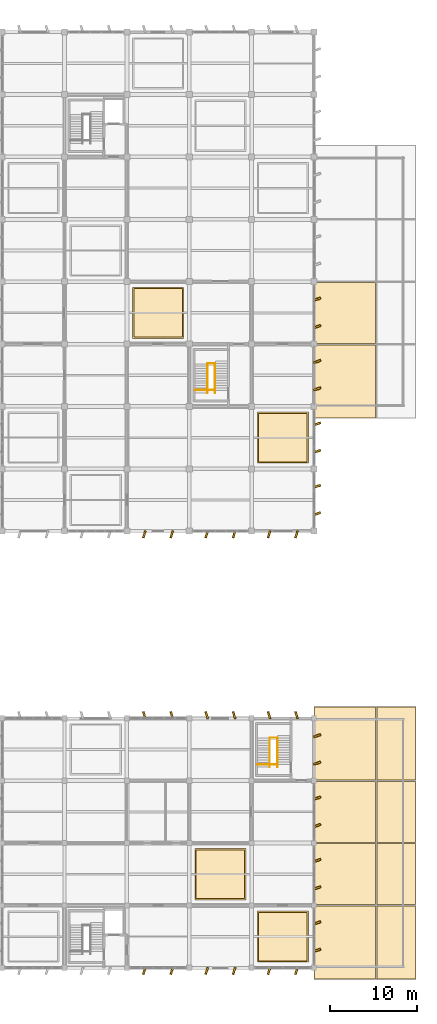
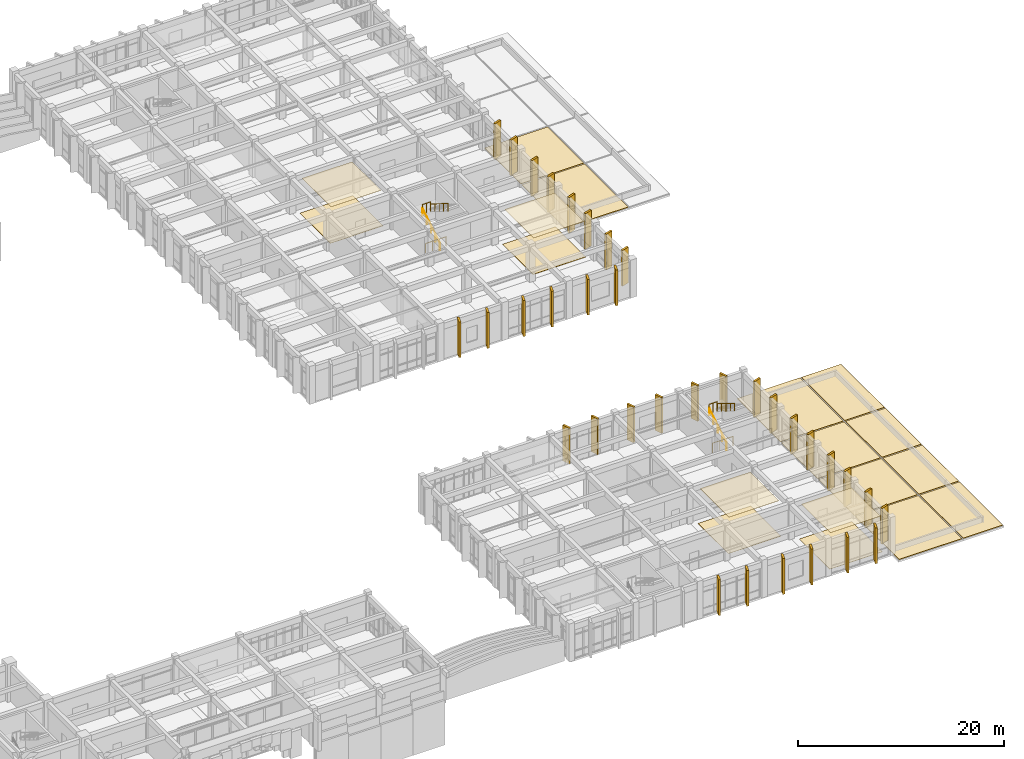
# One storey, part 80 of 81: 52 coverings, 8 railings.
"""IFC4 building model written with IfcOpenShell, lengths in metres."""

from ifc_helpers import new_model, si_unit, direction, frame, origin, origin_2d, place, context, subcontext, project, spatial, polyline, rectangle, circle, outline, extrude, material, layer, layer_set, type_object, element, save


model = new_model("IFC4")

# Units and contexts
model_context = context("Model", 3, precision=1e-05, world=origin(), true_north=direction((0.0, 1.0)))
body_context = subcontext(model_context, "Body", "Model", "MODEL_VIEW")
ifc_project = project(units=[si_unit("LENGTHUNIT", "METRE"), si_unit("AREAUNIT", "SQUARE_METRE"), si_unit("VOLUMEUNIT", "CUBIC_METRE"), si_unit("PLANEANGLEUNIT", "RADIAN"), si_unit("MASSUNIT", "GRAM", prefix="KILO")], contexts=[model_context])

# Site, building, storey
site_placement = place(None, origin())
site = spatial("IfcSite", under=ifc_project, at=site_placement, CompositionType="ELEMENT")
building_placement = place(site_placement, origin())
building = spatial("IfcBuilding", under=site, at=building_placement, Name="Kavelor Marine Aquarium", CompositionType="ELEMENT")
storey_placement = place(building_placement, frame((0.0, 0.0, 4.679931640625)))
storey = spatial("IfcBuildingStorey", under=building, at=storey_placement, Name="L01", CompositionType="ELEMENT", Elevation=4.679931640625)

# Coverings
ifc_material_1 = material(Name="Moisture-Resistant Acoustic Mineral-Fibre Ceiling")
ifc_layer_1 = layer(ifc_material_1, 0.0400390625)
ifc_layer_set_1 = layer_set([ifc_layer_1], Name="COV-CE1")
covering_type_1 = type_object("IfcCoveringType", Name="COV-CE1", PredefinedType="CEILING", material=ifc_layer_set_1)
covering_1_placement = place(storey_placement, frame((0.0, 0.0, 4.16015625)))
element("IfcCovering", 1, at=covering_1_placement, inside=storey, type_object=covering_type_1, Name="ceil:L01:18_10", PredefinedType="CEILING", context=body_context, shape_type="SweptSolid", body=[
    extrude(outline(polyline([(133.60009765625, 75.60009765625), (139.199951171875, 75.60009765625), (139.199951171875, 81.199951171875), (133.60009765625, 81.199951171875), (133.60009765625, 75.60009765625)])), origin(), (0.0, 0.0, 1.0), 0.039794921875),
])
covering_2_placement = place(storey_placement, frame((0.0, 0.0, 4.16015625)))
element("IfcCovering", 2, at=covering_2_placement, inside=storey, type_object=covering_type_1, Name="ceil:L01:19_01", PredefinedType="CEILING", context=body_context, shape_type="SweptSolid", body=[
    extrude(outline(polyline([(140.800048828125, 10.800048828125), (146.39990234375, 10.800048828125), (146.39990234375, 16.39990234375), (140.800048828125, 16.39990234375), (140.800048828125, 10.800048828125)])), origin(), (0.0, 0.0, 1.0), 0.039794921875),
])
covering_3_placement = place(storey_placement, frame((0.0, 0.0, 4.16015625)))
element("IfcCovering", 3, at=covering_3_placement, inside=storey, type_object=covering_type_1, Name="ceil:L01:20_00", PredefinedType="CEILING", context=body_context, shape_type="SweptSolid", body=[
    extrude(outline(polyline([(148.0, 3.60009765625), (153.60009765625, 3.60009765625), (153.60009765625, 9.199951171875), (148.0, 9.199951171875), (148.0, 3.60009765625)])), origin(), (0.0, 0.0, 1.0), 0.039794921875),
])
covering_4_placement = place(storey_placement, frame((0.0, 0.0, 4.16015625)))
element("IfcCovering", 4, at=covering_4_placement, inside=storey, type_object=covering_type_1, Name="ceil:L01:20_08", PredefinedType="CEILING", context=body_context, shape_type="SweptSolid", body=[
    extrude(outline(polyline([(148.0, 61.199951171875), (153.60009765625, 61.199951171875), (153.60009765625, 66.800048828125), (148.0, 66.800048828125), (148.0, 61.199951171875)])), origin(), (0.0, 0.0, 1.0), 0.039794921875),
])
ifc_material_2 = material(Name="Precast Concrete C45/55 Coastal Brise-Soleil Fin", Category="concrete")
ifc_layer_2 = layer(ifc_material_2, 0.219970703125)
ifc_layer_set_2 = layer_set([ifc_layer_2], Name="COV-CL1")
covering_type_2 = type_object("IfcCoveringType", Name="COV-CL1", PredefinedType="CLADDING", material=ifc_layer_set_2)
for number, where, z_axis, x_axis, name in (
    (5, (154.760009765625, 4.81591796875, 0.0), (0.0, 0.0, 1.0), (0.951056516295, 0.309016994375, 0.0), "fin:y:L01:21_00:0"),
    (6, (154.760009765625, 7.98388671875, 0.0), (0.0, 0.0, 1.0), (0.951056516295, 0.309016994375, 0.0), "fin:y:L01:21_00:1"),
    (7, (154.760009765625, 12.01611328125, 0.0), (0.0, 0.0, 1.0), (0.951056516295, 0.309016994375, 0.0), "fin:y:L01:21_01:0"),
    (8, (154.760009765625, 15.18408203125, 0.0), (0.0, 0.0, 1.0), (0.951056516295, 0.309016994375, 0.0), "fin:y:L01:21_01:1"),
    (9, (154.760009765625, 19.216064453125, 0.0), (0.0, 0.0, 1.0), (0.951056516295, 0.309016994375, 0.0), "fin:y:L01:21_02:0"),
    (10, (154.760009765625, 22.384033203125, 0.0), (0.0, 0.0, 1.0), (0.951056516295, 0.309016994375, 0.0), "fin:y:L01:21_02:1"),
    (11, (154.760009765625, 26.416015625, 0.0), (0.0, 0.0, 1.0), (0.951056516295, 0.309016994375, 0.0), "fin:y:L01:21_03:0"),
    (12, (154.760009765625, 29.583984375, 0.0), (0.0, 0.0, 1.0), (0.951056516295, 0.309016994375, 0.0), "fin:y:L01:21_03:1"),
    (13, (154.760009765625, 55.216064453125, 0.0), (0.0, 0.0, 1.0), (0.951056516295, 0.309016994375, 0.0), "fin:y:L01:21_07:0"),
    (14, (154.760009765625, 58.384033203125, 0.0), (0.0, 0.0, 1.0), (0.951056516295, 0.309016994375, 0.0), "fin:y:L01:21_07:1"),
    (15, (154.760009765625, 62.416015625, 0.0), (0.0, 0.0, 1.0), (0.951056516295, 0.309016994375, 0.0), "fin:y:L01:21_08:0"),
    (16, (154.760009765625, 65.583984375, 0.0), (0.0, 0.0, 1.0), (0.951056516295, 0.309016994375, 0.0), "fin:y:L01:21_08:1"),
    (17, (154.760009765625, 69.615966796875, 0.0), (0.0, 0.0, 1.0), (0.951056516295, 0.309016994375, 0.0), "fin:y:L01:21_09:0"),
    (18, (154.760009765625, 72.783935546875, 0.0), (0.0, 0.0, 1.0), (0.951056516295, 0.309016994375, 0.0), "fin:y:L01:21_09:1"),
    (19, (154.760009765625, 76.81591796875, 0.0), (0.0, 0.0, 1.0), (0.951056516295, 0.309016994375, 0.0), "fin:y:L01:21_10:0"),
    (20, (154.760009765625, 79.98388671875, 0.0), (0.0, 0.0, 1.0), (0.951056516295, 0.309016994375, 0.0), "fin:y:L01:21_10:1"),
):
    element("IfcCovering", number, at=place(storey_placement, frame(where, z_axis=z_axis, x_axis=x_axis)), inside=storey, type_object=covering_type_2, Name=name, PredefinedType="CLADDING", context=body_context, shape_type="SweptSolid", body=[
        extrude(rectangle(XDim=0.85009765625, YDim=0.219970703125, at=origin_2d()), origin(), (0.0, 0.0, 1.0), 4.239990234375),
    ])
for number, where, z_axis, x_axis, name in (
    (21, (134.81591796875, 2.43994140625, 0.0), (0.0, 0.0, 1.0), (0.951056516295, -0.309016994375, 0.0), "fin:x:L01:18_00:0"),
    (22, (137.98388671875, 2.43994140625, 0.0), (0.0, 0.0, 1.0), (0.951056516295, -0.309016994375, 0.0), "fin:x:L01:18_00:1"),
    (23, (134.81591796875, 31.9599609375, 0.0), (0.0, 0.0, 1.0), (0.951056516295, 0.309016994375, 0.0), "fin:x:L01:18_04:0"),
    (24, (137.98388671875, 31.9599609375, 0.0), (0.0, 0.0, 1.0), (0.951056516295, 0.309016994375, 0.0), "fin:x:L01:18_04:1"),
    (25, (134.81591796875, 52.840087890625, 0.0), (0.0, 0.0, 1.0), (0.951056516295, -0.309016994375, 0.0), "fin:x:L01:18_07:0"),
    (26, (137.98388671875, 52.840087890625, 0.0), (0.0, 0.0, 1.0), (0.951056516295, -0.309016994375, 0.0), "fin:x:L01:18_07:1"),
    (27, (142.01611328125, 2.43994140625, 0.0), (0.0, 0.0, 1.0), (0.951056516295, -0.309016994375, 0.0), "fin:x:L01:19_00:0"),
    (28, (145.18408203125, 2.43994140625, 0.0), (0.0, 0.0, 1.0), (0.951056516295, -0.309016994375, 0.0), "fin:x:L01:19_00:1"),
    (29, (142.01611328125, 31.9599609375, 0.0), (0.0, 0.0, 1.0), (0.951056516295, 0.309016994375, 0.0), "fin:x:L01:19_04:0"),
    (30, (145.18408203125, 31.9599609375, 0.0), (0.0, 0.0, 1.0), (0.951056516295, 0.309016994375, 0.0), "fin:x:L01:19_04:1"),
    (31, (142.01611328125, 52.840087890625, 0.0), (0.0, 0.0, 1.0), (0.951056516295, -0.309016994375, 0.0), "fin:x:L01:19_07:0"),
    (32, (145.18408203125, 52.840087890625, 0.0), (0.0, 0.0, 1.0), (0.951056516295, -0.309016994375, 0.0), "fin:x:L01:19_07:1"),
    (33, (149.216064453125, 2.43994140625, 0.0), (0.0, 0.0, 1.0), (0.951056516295, -0.309016994375, 0.0), "fin:x:L01:20_00:0"),
    (34, (152.384033203125, 2.43994140625, 0.0), (0.0, 0.0, 1.0), (0.951056516295, -0.309016994375, 0.0), "fin:x:L01:20_00:1"),
    (35, (149.216064453125, 31.9599609375, 0.0), (0.0, 0.0, 1.0), (0.951056516295, 0.309016994375, 0.0), "fin:x:L01:20_04:0"),
    (36, (152.384033203125, 31.9599609375, 0.0), (0.0, 0.0, 1.0), (0.951056516295, 0.309016994375, 0.0), "fin:x:L01:20_04:1"),
    (37, (149.216064453125, 52.840087890625, 0.0), (0.0, 0.0, 1.0), (0.951056516295, -0.309016994375, 0.0), "fin:x:L01:20_07:0"),
    (38, (152.384033203125, 52.840087890625, 0.0), (0.0, 0.0, 1.0), (0.951056516295, -0.309016994375, 0.0), "fin:x:L01:20_07:1"),
):
    element("IfcCovering", number, at=place(storey_placement, frame(where, z_axis=z_axis, x_axis=x_axis)), inside=storey, type_object=covering_type_2, Name=name, PredefinedType="CLADDING", context=body_context, shape_type="SweptSolid", body=[
        extrude(rectangle(XDim=0.219970703125, YDim=0.85009765625, at=origin_2d()), origin(), (0.0, 0.0, 1.0), 4.239990234375),
    ])
ifc_material_3 = material(Name="Polished Coastal Terrazzo Flooring")
ifc_layer_3 = layer(ifc_material_3, 0.030029296875)
ifc_layer_set_3 = layer_set([ifc_layer_3], Name="COV-FL1")
covering_type_3 = type_object("IfcCoveringType", Name="COV-FL1", PredefinedType="FLOORING", material=ifc_layer_set_3)
covering_5_placement = place(storey_placement, origin())
element("IfcCovering", 39, at=covering_5_placement, inside=storey, type_object=covering_type_3, Name="flr:L01:18_10", PredefinedType="FLOORING", context=body_context, shape_type="SweptSolid", body=[
    extrude(outline(polyline([(133.449951171875, 75.449951171875), (139.35009765625, 75.449951171875), (139.35009765625, 81.35009765625), (133.449951171875, 81.35009765625), (133.449951171875, 75.449951171875)])), origin(), (0.0, 0.0, 1.0), 0.030029296875),
])
covering_6_placement = place(storey_placement, origin())
element("IfcCovering", 40, at=covering_6_placement, inside=storey, type_object=covering_type_3, Name="flr:L01:19_01", PredefinedType="FLOORING", context=body_context, shape_type="SweptSolid", body=[
    extrude(outline(polyline([(140.64990234375, 10.64990234375), (146.550048828125, 10.64990234375), (146.550048828125, 16.550048828125), (140.64990234375, 16.550048828125), (140.64990234375, 10.64990234375)])), origin(), (0.0, 0.0, 1.0), 0.030029296875),
])
covering_7_placement = place(storey_placement, origin())
element("IfcCovering", 41, at=covering_7_placement, inside=storey, type_object=covering_type_3, Name="flr:L01:20_00", PredefinedType="FLOORING", context=body_context, shape_type="SweptSolid", body=[
    extrude(outline(polyline([(147.85009765625, 3.449951171875), (153.75, 3.449951171875), (153.75, 9.35009765625), (147.85009765625, 9.35009765625), (147.85009765625, 3.449951171875)])), origin(), (0.0, 0.0, 1.0), 0.030029296875),
])
covering_8_placement = place(storey_placement, origin())
element("IfcCovering", 42, at=covering_8_placement, inside=storey, type_object=covering_type_3, Name="flr:L01:20_08", PredefinedType="FLOORING", context=body_context, shape_type="SweptSolid", body=[
    extrude(outline(polyline([(147.85009765625, 61.050048828125), (153.75, 61.050048828125), (153.75, 66.949951171875), (147.85009765625, 66.949951171875), (147.85009765625, 61.050048828125)])), origin(), (0.0, 0.0, 1.0), 0.030029296875),
])
ifc_material_4 = material(Name="TPO Reflective Waterproof Roofing Membrane")
ifc_layer_4 = layer(ifc_material_4, 0.06005859375)
ifc_layer_set_4 = layer_set([ifc_layer_4], Name="COV-RF1")
covering_type_4 = type_object("IfcCoveringType", Name="COV-RF1", PredefinedType="ROOFING", material=ifc_layer_set_4)
covering_9_placement = place(storey_placement, origin())
element("IfcCovering", 43, at=covering_9_placement, inside=storey, type_object=covering_type_4, Name="rcov:L01:21_00", PredefinedType="ROOFING", context=body_context, shape_type="SweptSolid", body=[
    extrude(outline(polyline([(154.47998046875, 1.47998046875), (161.52001953125, 1.47998046875), (161.52001953125, 9.919921875), (154.47998046875, 9.919921875), (154.47998046875, 1.47998046875)])), origin(), (0.0, 0.0, 1.0), 0.06005859375),
])
covering_10_placement = place(storey_placement, origin())
element("IfcCovering", 44, at=covering_10_placement, inside=storey, type_object=covering_type_4, Name="rcov:L01:21_01", PredefinedType="ROOFING", context=body_context, shape_type="SweptSolid", body=[
    extrude(outline(polyline([(154.47998046875, 10.080078125), (161.52001953125, 10.080078125), (161.52001953125, 17.1201171875), (154.47998046875, 17.1201171875), (154.47998046875, 10.080078125)])), origin(), (0.0, 0.0, 1.0), 0.06005859375),
])
covering_11_placement = place(storey_placement, origin())
element("IfcCovering", 45, at=covering_11_placement, inside=storey, type_object=covering_type_4, Name="rcov:L01:21_02", PredefinedType="ROOFING", context=body_context, shape_type="SweptSolid", body=[
    extrude(outline(polyline([(154.47998046875, 17.280029296875), (161.52001953125, 17.280029296875), (161.52001953125, 24.320068359375), (154.47998046875, 24.320068359375), (154.47998046875, 17.280029296875)])), origin(), (0.0, 0.0, 1.0), 0.06005859375),
])
covering_12_placement = place(storey_placement, origin())
element("IfcCovering", 46, at=covering_12_placement, inside=storey, type_object=covering_type_4, Name="rcov:L01:21_03", PredefinedType="ROOFING", context=body_context, shape_type="SweptSolid", body=[
    extrude(outline(polyline([(154.47998046875, 24.47998046875), (161.52001953125, 24.47998046875), (161.52001953125, 32.919921875), (154.47998046875, 32.919921875), (154.47998046875, 24.47998046875)])), origin(), (0.0, 0.0, 1.0), 0.06005859375),
])
covering_13_placement = place(storey_placement, origin())
element("IfcCovering", 47, at=covering_13_placement, inside=storey, type_object=covering_type_4, Name="rcov:L01:21_09", PredefinedType="ROOFING", context=body_context, shape_type="SweptSolid", body=[
    extrude(outline(polyline([(154.47998046875, 66.280029296875), (161.52001953125, 66.280029296875), (161.52001953125, 74.719970703125), (154.47998046875, 74.719970703125), (154.47998046875, 66.280029296875)])), origin(), (0.0, 0.0, 1.0), 0.06005859375),
])
covering_14_placement = place(storey_placement, origin())
element("IfcCovering", 48, at=covering_14_placement, inside=storey, type_object=covering_type_4, Name="rcov:L01:21_10", PredefinedType="ROOFING", context=body_context, shape_type="SweptSolid", body=[
    extrude(outline(polyline([(154.47998046875, 74.8798828125), (161.52001953125, 74.8798828125), (161.52001953125, 81.919921875), (154.47998046875, 81.919921875), (154.47998046875, 74.8798828125)])), origin(), (0.0, 0.0, 1.0), 0.06005859375),
])
covering_15_placement = place(storey_placement, origin())
element("IfcCovering", 49, at=covering_15_placement, inside=storey, type_object=covering_type_4, Name="rcov:L01:22_00", PredefinedType="ROOFING", context=body_context, shape_type="SweptSolid", body=[
    extrude(outline(polyline([(161.679931640625, 1.47998046875), (166.1201171875, 1.47998046875), (166.1201171875, 9.919921875), (161.679931640625, 9.919921875), (161.679931640625, 1.47998046875)])), origin(), (0.0, 0.0, 1.0), 0.06005859375),
])
covering_16_placement = place(storey_placement, origin())
element("IfcCovering", 50, at=covering_16_placement, inside=storey, type_object=covering_type_4, Name="rcov:L01:22_01", PredefinedType="ROOFING", context=body_context, shape_type="SweptSolid", body=[
    extrude(outline(polyline([(161.679931640625, 10.080078125), (166.1201171875, 10.080078125), (166.1201171875, 17.1201171875), (161.679931640625, 17.1201171875), (161.679931640625, 10.080078125)])), origin(), (0.0, 0.0, 1.0), 0.06005859375),
])
covering_17_placement = place(storey_placement, origin())
element("IfcCovering", 51, at=covering_17_placement, inside=storey, type_object=covering_type_4, Name="rcov:L01:22_02", PredefinedType="ROOFING", context=body_context, shape_type="SweptSolid", body=[
    extrude(outline(polyline([(161.679931640625, 17.280029296875), (166.1201171875, 17.280029296875), (166.1201171875, 24.320068359375), (161.679931640625, 24.320068359375), (161.679931640625, 17.280029296875)])), origin(), (0.0, 0.0, 1.0), 0.06005859375),
])
covering_18_placement = place(storey_placement, origin())
element("IfcCovering", 52, at=covering_18_placement, inside=storey, type_object=covering_type_4, Name="rcov:L01:22_03", PredefinedType="ROOFING", context=body_context, shape_type="SweptSolid", body=[
    extrude(outline(polyline([(161.679931640625, 24.47998046875), (166.1201171875, 24.47998046875), (166.1201171875, 32.919921875), (161.679931640625, 32.919921875), (161.679931640625, 24.47998046875)])), origin(), (0.0, 0.0, 1.0), 0.06005859375),
])

# Railings
ifc_material_5 = material(Name="Brushed Stainless Steel Wall and Flight Handrail", Category="steel")
railing_type_1 = type_object("IfcRailingType", Name="RL-HR1", PredefinedType="HANDRAIL", material=ifc_material_5)
railing_1_placement = place(storey_placement, frame((149.2900390625, 25.9599609375, 0.0)))
element("IfcRailing", 53, at=railing_1_placement, inside=storey, type_object=railing_type_1, Name="Stair Handrail ST09-1", PredefinedType="HANDRAIL", context=body_context, shape_type="SweptSolid", body=[
    extrude(circle(Radius=0.02001953125, at=origin_2d()), frame((0.0, 0.0, 0.8798828125), z_axis=(0.0, 0.850623216509, 0.525775754039), x_axis=(-1.0, 0.0, 0.0)), (0.0, 0.0, 1.0), 3.9501953125),
    extrude(circle(Radius=0.01806640625, at=origin_2d()), origin(), (0.0, 0.0, 1.0), 0.85986328125),
    extrude(circle(Radius=0.01806640625, at=origin_2d()), frame((0.0, 0.840087890625, 0.519287109375)), (0.0, 0.0, 1.0), 0.85986328125),
    extrude(circle(Radius=0.01806640625, at=origin_2d()), frame((0.0, 1.68017578125, 1.03857421875)), (0.0, 0.0, 1.0), 0.85986328125),
    extrude(circle(Radius=0.01806640625, at=origin_2d()), frame((0.0, 2.52001953125, 1.5576171875)), (0.0, 0.0, 1.0), 0.85986328125),
    extrude(circle(Radius=0.01806640625, at=origin_2d()), frame((0.0, 3.360107421875, 2.076904296875)), (0.0, 0.0, 1.0), 0.85986328125),
])
railing_2_placement = place(storey_placement, frame((150.18994140625, 29.320068359375, 2.25)))
element("IfcRailing", 54, at=railing_2_placement, inside=storey, type_object=railing_type_1, Name="Stair Handrail ST09-2", PredefinedType="HANDRAIL", context=body_context, shape_type="SweptSolid", body=[
    extrude(circle(Radius=0.02001953125, at=origin_2d()), frame((0.0, 0.0, 0.8798828125), z_axis=(0.0, -0.850623216509, 0.525775754039), x_axis=(1.0, 0.0, 0.0)), (0.0, 0.0, 1.0), 3.9501953125),
    extrude(circle(Radius=0.01806640625, at=origin_2d()), origin(), (0.0, 0.0, 1.0), 0.85986328125),
    extrude(circle(Radius=0.01806640625, at=origin_2d()), frame((0.0, -0.840087890625, 0.519287109375)), (0.0, 0.0, 1.0), 0.85986328125),
    extrude(circle(Radius=0.01806640625, at=origin_2d()), frame((0.0, -1.68017578125, 1.03857421875)), (0.0, 0.0, 1.0), 0.85986328125),
    extrude(circle(Radius=0.01806640625, at=origin_2d()), frame((0.0, -2.52001953125, 1.5576171875)), (0.0, 0.0, 1.0), 0.85986328125),
    extrude(circle(Radius=0.01806640625, at=origin_2d()), frame((0.0, -3.360107421875, 2.076904296875)), (0.0, 0.0, 1.0), 0.85986328125),
])
railing_3_placement = place(storey_placement, frame((142.090087890625, 69.159912109375, 0.0)))
element("IfcRailing", 55, at=railing_3_placement, inside=storey, type_object=railing_type_1, Name="Stair Handrail ST11-1", PredefinedType="HANDRAIL", context=body_context, shape_type="SweptSolid", body=[
    extrude(circle(Radius=0.02001953125, at=origin_2d()), frame((0.0, 0.0, 0.8798828125), z_axis=(0.0, 0.850623216509, 0.525775754039), x_axis=(-1.0, 0.0, 0.0)), (0.0, 0.0, 1.0), 3.9501953125),
    extrude(circle(Radius=0.01806640625, at=origin_2d()), origin(), (0.0, 0.0, 1.0), 0.85986328125),
    extrude(circle(Radius=0.01806640625, at=origin_2d()), frame((0.0, 0.840087890625, 0.519287109375)), (0.0, 0.0, 1.0), 0.85986328125),
    extrude(circle(Radius=0.01806640625, at=origin_2d()), frame((0.0, 1.68017578125, 1.03857421875)), (0.0, 0.0, 1.0), 0.85986328125),
    extrude(circle(Radius=0.01806640625, at=origin_2d()), frame((0.0, 2.52001953125, 1.5576171875)), (0.0, 0.0, 1.0), 0.85986328125),
    extrude(circle(Radius=0.01806640625, at=origin_2d()), frame((0.0, 3.360107421875, 2.076904296875)), (0.0, 0.0, 1.0), 0.85986328125),
])
railing_4_placement = place(storey_placement, frame((142.989990234375, 72.52001953125, 2.25)))
element("IfcRailing", 56, at=railing_4_placement, inside=storey, type_object=railing_type_1, Name="Stair Handrail ST11-2", PredefinedType="HANDRAIL", context=body_context, shape_type="SweptSolid", body=[
    extrude(circle(Radius=0.02001953125, at=origin_2d()), frame((0.0, 0.0, 0.8798828125), z_axis=(0.0, -0.850623216509, 0.525775754039), x_axis=(1.0, 0.0, 0.0)), (0.0, 0.0, 1.0), 3.9501953125),
    extrude(circle(Radius=0.01806640625, at=origin_2d()), origin(), (0.0, 0.0, 1.0), 0.85986328125),
    extrude(circle(Radius=0.01806640625, at=origin_2d()), frame((0.0, -0.840087890625, 0.519287109375)), (0.0, 0.0, 1.0), 0.85986328125),
    extrude(circle(Radius=0.01806640625, at=origin_2d()), frame((0.0, -1.68017578125, 1.03857421875)), (0.0, 0.0, 1.0), 0.85986328125),
    extrude(circle(Radius=0.01806640625, at=origin_2d()), frame((0.0, -2.52001953125, 1.5576171875)), (0.0, 0.0, 1.0), 0.85986328125),
    extrude(circle(Radius=0.01806640625, at=origin_2d()), frame((0.0, -3.360107421875, 2.076904296875)), (0.0, 0.0, 1.0), 0.85986328125),
])
ifc_material_6 = material(Name="Brushed Stainless Steel Stair Guardrail", Category="steel")
railing_type_2 = type_object("IfcRailingType", Name="RL-SG1", PredefinedType="GUARDRAIL", material=ifc_material_6)
railing_5_placement = place(storey_placement, frame((149.2900390625, 29.35009765625, 2.25)))
element("IfcRailing", 57, at=railing_5_placement, inside=storey, type_object=railing_type_2, Name="Landing Guardrail ST09-M", PredefinedType="GUARDRAIL", context=body_context, shape_type="SweptSolid", body=[
    extrude(circle(Radius=0.0224609375, at=origin_2d()), frame((0.0, 0.0, 1.09765625), z_axis=(1.0, 0.0, 0.0), x_axis=(0.0, 1.0, 0.0)), (0.0, 0.0, 1.0), 0.89990234375),
    extrude(circle(Radius=0.02099609375, at=origin_2d()), origin(), (0.0, 0.0, 1.0), 1.0751953125),
    extrude(circle(Radius=0.02099609375, at=origin_2d()), frame((0.449951171875, 0.0, 0.0)), (0.0, 0.0, 1.0), 1.0751953125),
    extrude(circle(Radius=0.02099609375, at=origin_2d()), frame((0.89990234375, 0.0, 0.0)), (0.0, 0.0, 1.0), 1.0751953125),
])
railing_6_placement = place(storey_placement, frame((147.8798828125, 26.280029296875, 0.0)))
element("IfcRailing", 58, at=railing_6_placement, inside=storey, type_object=railing_type_2, Name="Stairwell Guardrail ST09-W", PredefinedType="GUARDRAIL", context=body_context, shape_type="SweptSolid", body=[
    extrude(circle(Radius=0.0224609375, at=origin_2d()), frame((0.0, 0.0, 1.09765625), z_axis=(1.0, 0.0, 0.0), x_axis=(0.0, 1.0, 0.0)), (0.0, 0.0, 1.0), 2.300048828125),
    extrude(circle(Radius=0.02099609375, at=origin_2d()), origin(), (0.0, 0.0, 1.0), 1.0751953125),
    extrude(circle(Radius=0.02099609375, at=origin_2d()), frame((0.7666015625, 0.0, 0.0)), (0.0, 0.0, 1.0), 1.0751953125),
    extrude(circle(Radius=0.02099609375, at=origin_2d()), frame((1.533447265625, 0.0, 0.0)), (0.0, 0.0, 1.0), 1.0751953125),
    extrude(circle(Radius=0.02099609375, at=origin_2d()), frame((2.300048828125, 0.0, 0.0)), (0.0, 0.0, 1.0), 1.0751953125),
])
railing_7_placement = place(storey_placement, frame((142.090087890625, 72.550048828125, 2.25)))
element("IfcRailing", 59, at=railing_7_placement, inside=storey, type_object=railing_type_2, Name="Landing Guardrail ST11-M", PredefinedType="GUARDRAIL", context=body_context, shape_type="SweptSolid", body=[
    extrude(circle(Radius=0.0224609375, at=origin_2d()), frame((0.0, 0.0, 1.09765625), z_axis=(1.0, 0.0, 0.0), x_axis=(0.0, 1.0, 0.0)), (0.0, 0.0, 1.0), 0.89990234375),
    extrude(circle(Radius=0.02099609375, at=origin_2d()), origin(), (0.0, 0.0, 1.0), 1.0751953125),
    extrude(circle(Radius=0.02099609375, at=origin_2d()), frame((0.449951171875, 0.0, 0.0)), (0.0, 0.0, 1.0), 1.0751953125),
    extrude(circle(Radius=0.02099609375, at=origin_2d()), frame((0.89990234375, 0.0, 0.0)), (0.0, 0.0, 1.0), 1.0751953125),
])
railing_8_placement = place(storey_placement, frame((140.679931640625, 69.47998046875, 0.0)))
element("IfcRailing", 60, at=railing_8_placement, inside=storey, type_object=railing_type_2, Name="Stairwell Guardrail ST11-W", PredefinedType="GUARDRAIL", context=body_context, shape_type="SweptSolid", body=[
    extrude(circle(Radius=0.0224609375, at=origin_2d()), frame((0.0, 0.0, 1.09765625), z_axis=(1.0, 0.0, 0.0), x_axis=(0.0, 1.0, 0.0)), (0.0, 0.0, 1.0), 2.300048828125),
    extrude(circle(Radius=0.02099609375, at=origin_2d()), origin(), (0.0, 0.0, 1.0), 1.0751953125),
    extrude(circle(Radius=0.02099609375, at=origin_2d()), frame((0.7666015625, 0.0, 0.0)), (0.0, 0.0, 1.0), 1.0751953125),
    extrude(circle(Radius=0.02099609375, at=origin_2d()), frame((1.533447265625, 0.0, 0.0)), (0.0, 0.0, 1.0), 1.0751953125),
    extrude(circle(Radius=0.02099609375, at=origin_2d()), frame((2.300048828125, 0.0, 0.0)), (0.0, 0.0, 1.0), 1.0751953125),
])

save(model, "model.ifc")
